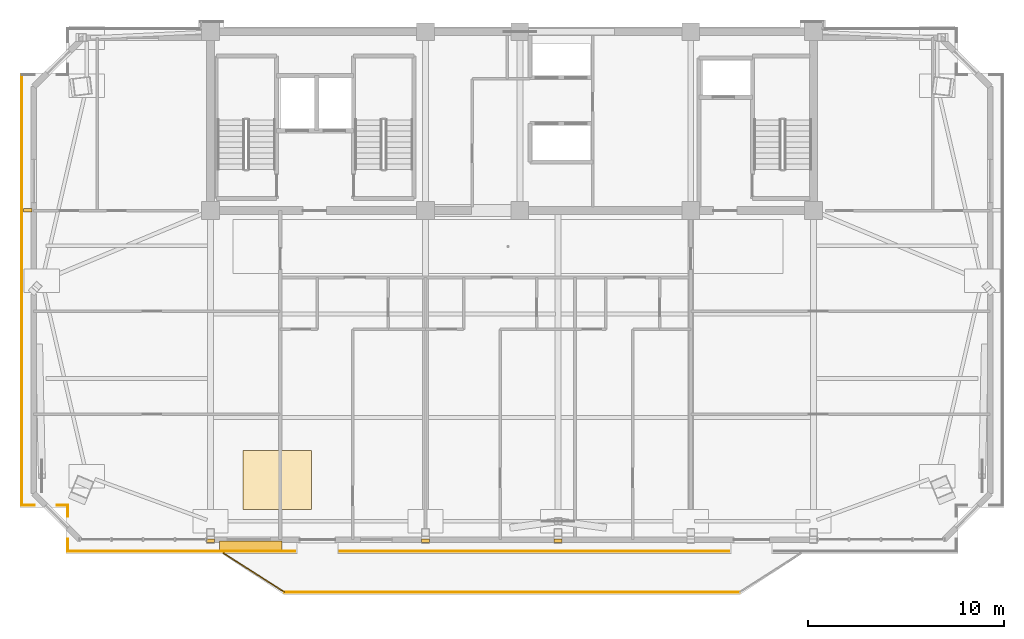
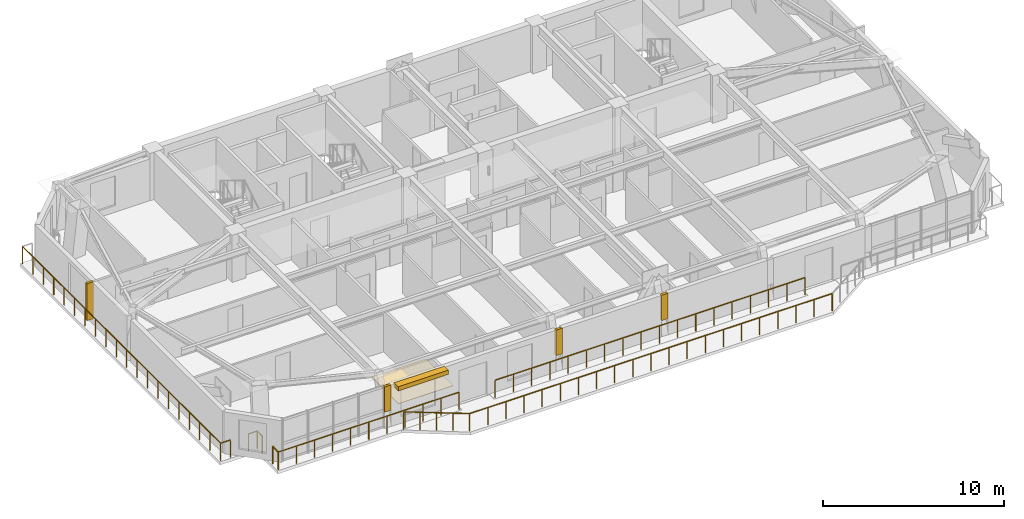
# One storey, part 11 of 14: 9 railings, 4 coverings, 2 shading devices.
"""IFC4 building model written with IfcOpenShell, lengths in metres."""

from ifc_helpers import new_model, si_unit, direction, frame, origin, origin_2d, place, context, subcontext, project, spatial, polyline, rectangle, outline, extrude, source, transform, mapped, material, layer, layer_set, type_object, element, save


model = new_model("IFC4")

# Units and contexts
model_context = context("Model", 3, precision=1e-05, world=origin(), true_north=direction((0.0, 1.0)))
body_context = subcontext(model_context, "Body", "Model", "MODEL_VIEW")
ifc_project = project(units=[si_unit("LENGTHUNIT", "METRE"), si_unit("AREAUNIT", "SQUARE_METRE"), si_unit("VOLUMEUNIT", "CUBIC_METRE"), si_unit("PLANEANGLEUNIT", "RADIAN"), si_unit("MASSUNIT", "GRAM", prefix="KILO")], contexts=[model_context])

# Site, building, storey
site_placement = place(None, origin())
site = spatial("IfcSite", under=ifc_project, at=site_placement, CompositionType="ELEMENT")
building_placement = place(site_placement, origin())
building = spatial("IfcBuilding", under=site, at=building_placement, Name="Giltprow Tower", CompositionType="ELEMENT")
storey_placement = place(building_placement, frame((0.0, 0.0, 321.0)))
storey = spatial("IfcBuildingStorey", under=building, at=storey_placement, Name="L83", CompositionType="ELEMENT", Elevation=321.0)

# Coverings
ifc_material_1 = material(Name="Engineered oak", Category="wood")
ifc_layer_1 = layer(ifc_material_1, 0.02490234375, Name="Engineered oak")
ifc_layer_set_1 = layer_set([ifc_layer_1], Name="Engineered oak")
covering_type_1 = type_object("IfcCoveringType", Name="COV-FLR-TIMBER", PredefinedType="FLOORING", material=ifc_layer_set_1)
covering_1_placement = place(storey_placement, origin())
element("IfcCovering", 1, at=covering_1_placement, inside=storey, type_object=covering_type_1, Name="L83 Residence Oak Parquet Flooring", PredefinedType="FLOORING", context=body_context, shape_type="SweptSolid", body=[
    extrude(outline(polyline([(21.5, 22.236083984375), (25.0, 22.236083984375), (25.0, 25.236083984375), (21.5, 25.236083984375), (21.5, 22.236083984375)])), origin(), (0.0, 0.0, 1.0), 0.02490234375),
])
ifc_material_2 = material(Name="Anodized bronze", Category="metal")
ifc_layer_2 = layer(ifc_material_2, 0.0400390625, Name="Anodized bronze")
ifc_layer_set_2 = layer_set([ifc_layer_2], Name="Anodized bronze")
covering_type_2 = type_object("IfcCoveringType", Name="COV-SOFFIT-BRONZE", PredefinedType="CLADDING", material=ifc_layer_set_2)
covering_2_placement = place(storey_placement, frame((0.0, 0.0, 1.10009765625)))
element("IfcCovering", 2, at=covering_2_placement, inside=storey, type_object=covering_type_2, Name="L83 Setback Pier Closure Cladding S-1", PredefinedType="CLADDING", context=body_context, shape_type="SweptSolid", body=[
    extrude(outline(polyline([(19.64990234375, 20.56396484375), (20.050048828125, 20.56396484375), (20.050048828125, 20.72412109375), (19.64990234375, 20.72412109375), (19.64990234375, 20.56396484375)])), origin(), (0.0, 0.0, 1.0), 1.71484375),
])
covering_3_placement = place(storey_placement, frame((0.0, 0.0, 1.10009765625)))
element("IfcCovering", 3, at=covering_3_placement, inside=storey, type_object=covering_type_2, Name="L83 Setback Pier Closure Cladding S-2", PredefinedType="CLADDING", context=body_context, shape_type="SweptSolid", body=[
    extrude(outline(polyline([(30.60009765625, 20.56396484375), (31.0, 20.56396484375), (31.0, 20.72412109375), (30.60009765625, 20.72412109375), (30.60009765625, 20.56396484375)])), origin(), (0.0, 0.0, 1.0), 1.71484375),
])
covering_4_placement = place(storey_placement, frame((0.0, 0.0, 1.10009765625)))
element("IfcCovering", 4, at=covering_4_placement, inside=storey, type_object=covering_type_2, Name="L83 Setback Pier Closure Cladding S-3", PredefinedType="CLADDING", context=body_context, shape_type="SweptSolid", body=[
    extrude(outline(polyline([(37.35009765625, 20.56396484375), (37.75, 20.56396484375), (37.75, 20.72412109375), (37.35009765625, 20.72412109375), (37.35009765625, 20.56396484375)])), origin(), (0.0, 0.0, 1.0), 1.71484375),
])

# Railings
railing_type = type_object("IfcRailingType", Name="RAIL-BALC-GUARD-1200", PredefinedType="BALUSTRADE", material=ifc_material_2)
railing_1_placement = place(storey_placement, frame((20.52001953125, 20.00390625, 0.0)))
element("IfcRailing", 5, at=railing_1_placement, inside=storey, type_object=railing_type, Name="L83 Waterfront Balcony Balustrade Seg 1", PredefinedType="BALUSTRADE", context=body_context, shape_type="SweptSolid", body=[
    extrude(rectangle(XDim=0.048095703125, YDim=0.048095703125, at=origin_2d()), frame((0.0, 0.0, 1.17578125), z_axis=(0.84277487735, -0.538266203757, 0.0), x_axis=(0.538266203757, 0.84277487735, 0.0)), (0.0, 0.0, 1.0), 3.678466796875),
    extrude(rectangle(XDim=0.0419921875, YDim=0.0419921875, at=origin_2d()), origin(), (0.0, 0.0, 1.0), 1.15185546875),
    extrude(rectangle(XDim=0.0419921875, YDim=0.0419921875, at=origin_2d()), frame((0.77490234375, -0.4951171875, 0.0)), (0.0, 0.0, 1.0), 1.15185546875),
    extrude(rectangle(XDim=0.0419921875, YDim=0.0419921875, at=origin_2d()), frame((1.550048828125, -0.989990234375, 0.0)), (0.0, 0.0, 1.0), 1.15185546875),
    extrude(rectangle(XDim=0.0419921875, YDim=0.0419921875, at=origin_2d()), frame((2.3251953125, -1.48486328125, 0.0)), (0.0, 0.0, 1.0), 1.15185546875),
    extrude(rectangle(XDim=0.0419921875, YDim=0.0419921875, at=origin_2d()), frame((3.10009765625, -1.97998046875, 0.0)), (0.0, 0.0, 1.0), 1.15185546875),
])
railing_2_placement = place(storey_placement, frame((23.6201171875, 18.02392578125, 0.0)))
element("IfcRailing", 6, at=railing_2_placement, inside=storey, type_object=railing_type, Name="L83 Waterfront Balcony Balustrade Seg 2", PredefinedType="BALUSTRADE", context=body_context, shape_type="SweptSolid", body=[
    extrude(rectangle(XDim=0.048095703125, YDim=0.048095703125, at=origin_2d()), frame((0.0, 0.0, 1.17578125), z_axis=(1.0, 0.0, 0.0), x_axis=(0.0, 1.0, 0.0)), (0.0, 0.0, 1.0), 23.159912109375),
    extrude(rectangle(XDim=0.0419921875, YDim=0.0419921875, at=origin_2d()), origin(), (0.0, 0.0, 1.0), 1.15185546875),
    extrude(rectangle(XDim=0.0419921875, YDim=0.0419921875, at=origin_2d()), frame((1.157958984375, 0.0, 0.0)), (0.0, 0.0, 1.0), 1.15185546875),
    extrude(rectangle(XDim=0.0419921875, YDim=0.0419921875, at=origin_2d()), frame((2.31591796875, 0.0, 0.0)), (0.0, 0.0, 1.0), 1.15185546875),
    extrude(rectangle(XDim=0.0419921875, YDim=0.0419921875, at=origin_2d()), frame((3.473876953125, 0.0, 0.0)), (0.0, 0.0, 1.0), 1.15185546875),
    extrude(rectangle(XDim=0.0419921875, YDim=0.0419921875, at=origin_2d()), frame((4.632080078125, 0.0, 0.0)), (0.0, 0.0, 1.0), 1.15185546875),
    extrude(rectangle(XDim=0.0419921875, YDim=0.0419921875, at=origin_2d()), frame((5.7900390625, 0.0, 0.0)), (0.0, 0.0, 1.0), 1.15185546875),
    extrude(rectangle(XDim=0.0419921875, YDim=0.0419921875, at=origin_2d()), frame((6.947998046875, 0.0, 0.0)), (0.0, 0.0, 1.0), 1.15185546875),
    extrude(rectangle(XDim=0.0419921875, YDim=0.0419921875, at=origin_2d()), frame((8.10595703125, 0.0, 0.0)), (0.0, 0.0, 1.0), 1.15185546875),
    extrude(rectangle(XDim=0.0419921875, YDim=0.0419921875, at=origin_2d()), frame((9.263916015625, 0.0, 0.0)), (0.0, 0.0, 1.0), 1.15185546875),
    extrude(rectangle(XDim=0.0419921875, YDim=0.0419921875, at=origin_2d()), frame((10.421875, 0.0, 0.0)), (0.0, 0.0, 1.0), 1.15185546875),
    extrude(rectangle(XDim=0.0419921875, YDim=0.0419921875, at=origin_2d()), frame((11.580078125, 0.0, 0.0)), (0.0, 0.0, 1.0), 1.15185546875),
    extrude(rectangle(XDim=0.0419921875, YDim=0.0419921875, at=origin_2d()), frame((12.738037109375, 0.0, 0.0)), (0.0, 0.0, 1.0), 1.15185546875),
    extrude(rectangle(XDim=0.0419921875, YDim=0.0419921875, at=origin_2d()), frame((13.89599609375, 0.0, 0.0)), (0.0, 0.0, 1.0), 1.15185546875),
    extrude(rectangle(XDim=0.0419921875, YDim=0.0419921875, at=origin_2d()), frame((15.053955078125, 0.0, 0.0)), (0.0, 0.0, 1.0), 1.15185546875),
    extrude(rectangle(XDim=0.0419921875, YDim=0.0419921875, at=origin_2d()), frame((16.2119140625, 0.0, 0.0)), (0.0, 0.0, 1.0), 1.15185546875),
    extrude(rectangle(XDim=0.0419921875, YDim=0.0419921875, at=origin_2d()), frame((17.369873046875, 0.0, 0.0)), (0.0, 0.0, 1.0), 1.15185546875),
    extrude(rectangle(XDim=0.0419921875, YDim=0.0419921875, at=origin_2d()), frame((18.52783203125, 0.0, 0.0)), (0.0, 0.0, 1.0), 1.15185546875),
    extrude(rectangle(XDim=0.0419921875, YDim=0.0419921875, at=origin_2d()), frame((19.68603515625, 0.0, 0.0)), (0.0, 0.0, 1.0), 1.15185546875),
    extrude(rectangle(XDim=0.0419921875, YDim=0.0419921875, at=origin_2d()), frame((20.843994140625, 0.0, 0.0)), (0.0, 0.0, 1.0), 1.15185546875),
    extrude(rectangle(XDim=0.0419921875, YDim=0.0419921875, at=origin_2d()), frame((22.001953125, 0.0, 0.0)), (0.0, 0.0, 1.0), 1.15185546875),
    extrude(rectangle(XDim=0.0419921875, YDim=0.0419921875, at=origin_2d()), frame((23.159912109375, 0.0, 0.0)), (0.0, 0.0, 1.0), 1.15185546875),
])
railing_3_placement = place(storey_placement, frame((46.25, 20.10400390625, 0.0)))
element("IfcRailing", 7, at=railing_3_placement, inside=storey, type_object=railing_type, Name="L83 Corner Apron Edge Balustrade 7", PredefinedType="BALUSTRADE", context=body_context, shape_type="SweptSolid", body=[
    extrude(rectangle(XDim=0.048095703125, YDim=0.048095703125, at=origin_2d()), frame((0.0, 0.0, 1.17578125), z_axis=(-1.0, 0.0, 0.0), x_axis=(0.0, -1.0, 0.0)), (0.0, 0.0, 1.0), 19.800048828125),
    extrude(rectangle(XDim=0.0419921875, YDim=0.0419921875, at=origin_2d()), origin(), (0.0, 0.0, 1.0), 1.15185546875),
    extrude(rectangle(XDim=0.0419921875, YDim=0.0419921875, at=origin_2d()), frame((-1.164794921875, 0.0, 0.0)), (0.0, 0.0, 1.0), 1.15185546875),
    extrude(rectangle(XDim=0.0419921875, YDim=0.0419921875, at=origin_2d()), frame((-2.329345703125, 0.0, 0.0)), (0.0, 0.0, 1.0), 1.15185546875),
    extrude(rectangle(XDim=0.0419921875, YDim=0.0419921875, at=origin_2d()), frame((-3.494140625, 0.0, 0.0)), (0.0, 0.0, 1.0), 1.15185546875),
    extrude(rectangle(XDim=0.0419921875, YDim=0.0419921875, at=origin_2d()), frame((-4.658935546875, 0.0, 0.0)), (0.0, 0.0, 1.0), 1.15185546875),
    extrude(rectangle(XDim=0.0419921875, YDim=0.0419921875, at=origin_2d()), frame((-5.823486328125, 0.0, 0.0)), (0.0, 0.0, 1.0), 1.15185546875),
    extrude(rectangle(XDim=0.0419921875, YDim=0.0419921875, at=origin_2d()), frame((-6.98828125, 0.0, 0.0)), (0.0, 0.0, 1.0), 1.15185546875),
    extrude(rectangle(XDim=0.0419921875, YDim=0.0419921875, at=origin_2d()), frame((-8.153076171875, 0.0, 0.0)), (0.0, 0.0, 1.0), 1.15185546875),
    extrude(rectangle(XDim=0.0419921875, YDim=0.0419921875, at=origin_2d()), frame((-9.317626953125, 0.0, 0.0)), (0.0, 0.0, 1.0), 1.15185546875),
    extrude(rectangle(XDim=0.0419921875, YDim=0.0419921875, at=origin_2d()), frame((-10.482421875, 0.0, 0.0)), (0.0, 0.0, 1.0), 1.15185546875),
    extrude(rectangle(XDim=0.0419921875, YDim=0.0419921875, at=origin_2d()), frame((-11.64697265625, 0.0, 0.0)), (0.0, 0.0, 1.0), 1.15185546875),
    extrude(rectangle(XDim=0.0419921875, YDim=0.0419921875, at=origin_2d()), frame((-12.811767578125, 0.0, 0.0)), (0.0, 0.0, 1.0), 1.15185546875),
    extrude(rectangle(XDim=0.0419921875, YDim=0.0419921875, at=origin_2d()), frame((-13.9765625, 0.0, 0.0)), (0.0, 0.0, 1.0), 1.15185546875),
    extrude(rectangle(XDim=0.0419921875, YDim=0.0419921875, at=origin_2d()), frame((-15.14111328125, 0.0, 0.0)), (0.0, 0.0, 1.0), 1.15185546875),
    extrude(rectangle(XDim=0.0419921875, YDim=0.0419921875, at=origin_2d()), frame((-16.305908203125, 0.0, 0.0)), (0.0, 0.0, 1.0), 1.15185546875),
    extrude(rectangle(XDim=0.0419921875, YDim=0.0419921875, at=origin_2d()), frame((-17.470703125, 0.0, 0.0)), (0.0, 0.0, 1.0), 1.15185546875),
    extrude(rectangle(XDim=0.0419921875, YDim=0.0419921875, at=origin_2d()), frame((-18.63525390625, 0.0, 0.0)), (0.0, 0.0, 1.0), 1.15185546875),
    extrude(rectangle(XDim=0.0419921875, YDim=0.0419921875, at=origin_2d()), frame((-19.800048828125, 0.0, 0.0)), (0.0, 0.0, 1.0), 1.15185546875),
])
railing_4_placement = place(storey_placement, frame((24.14990234375, 20.10400390625, 0.0)))
element("IfcRailing", 8, at=railing_4_placement, inside=storey, type_object=railing_type, Name="L83 Corner Apron Edge Balustrade 8", PredefinedType="BALUSTRADE", context=body_context, shape_type="SweptSolid", body=[
    extrude(rectangle(XDim=0.048095703125, YDim=0.048095703125, at=origin_2d()), frame((0.0, 0.0, 1.17578125), z_axis=(-1.0, 0.0, 0.0), x_axis=(0.0, -1.0, 0.0)), (0.0, 0.0, 1.0), 11.556884765625),
    extrude(rectangle(XDim=0.0419921875, YDim=0.0419921875, at=origin_2d()), origin(), (0.0, 0.0, 1.0), 1.15185546875),
    extrude(rectangle(XDim=0.0419921875, YDim=0.0419921875, at=origin_2d()), frame((-1.15576171875, 0.0, 0.0)), (0.0, 0.0, 1.0), 1.15185546875),
    extrude(rectangle(XDim=0.0419921875, YDim=0.0419921875, at=origin_2d()), frame((-2.311279296875, 0.0, 0.0)), (0.0, 0.0, 1.0), 1.15185546875),
    extrude(rectangle(XDim=0.0419921875, YDim=0.0419921875, at=origin_2d()), frame((-3.467041015625, 0.0, 0.0)), (0.0, 0.0, 1.0), 1.15185546875),
    extrude(rectangle(XDim=0.0419921875, YDim=0.0419921875, at=origin_2d()), frame((-4.622802734375, 0.0, 0.0)), (0.0, 0.0, 1.0), 1.15185546875),
    extrude(rectangle(XDim=0.0419921875, YDim=0.0419921875, at=origin_2d()), frame((-5.7783203125, 0.0, 0.0)), (0.0, 0.0, 1.0), 1.15185546875),
    extrude(rectangle(XDim=0.0419921875, YDim=0.0419921875, at=origin_2d()), frame((-6.93408203125, 0.0, 0.0)), (0.0, 0.0, 1.0), 1.15185546875),
    extrude(rectangle(XDim=0.0419921875, YDim=0.0419921875, at=origin_2d()), frame((-8.08984375, 0.0, 0.0)), (0.0, 0.0, 1.0), 1.15185546875),
    extrude(rectangle(XDim=0.0419921875, YDim=0.0419921875, at=origin_2d()), frame((-9.24560546875, 0.0, 0.0)), (0.0, 0.0, 1.0), 1.15185546875),
    extrude(rectangle(XDim=0.0419921875, YDim=0.0419921875, at=origin_2d()), frame((-10.401123046875, 0.0, 0.0)), (0.0, 0.0, 1.0), 1.15185546875),
    extrude(rectangle(XDim=0.0419921875, YDim=0.0419921875, at=origin_2d()), frame((-11.556884765625, 0.0, 0.0)), (0.0, 0.0, 1.0), 1.15185546875),
])
railing_5_placement = place(storey_placement, frame((12.593017578125, 20.10400390625, 0.0)))
element("IfcRailing", 9, at=railing_5_placement, inside=storey, type_object=railing_type, Name="L83 Corner Apron Edge Balustrade 9", PredefinedType="BALUSTRADE", context=body_context, shape_type="SweptSolid", body=[
    extrude(rectangle(XDim=0.048095703125, YDim=0.048095703125, at=origin_2d()), frame((0.0, 0.0, 1.17578125), z_axis=(0.0, 1.0, 0.0), x_axis=(-1.0, 0.0, 0.0)), (0.0, 0.0, 1.0), 0.6201171875),
    extrude(rectangle(XDim=0.0419921875, YDim=0.0419921875, at=origin_2d()), origin(), (0.0, 0.0, 1.0), 1.15185546875),
    extrude(rectangle(XDim=0.0419921875, YDim=0.0419921875, at=origin_2d()), frame((0.0, 0.6201171875, 0.0)), (0.0, 0.0, 1.0), 1.15185546875),
])
railing_6_placement = place(storey_placement, frame((12.593017578125, 21.884033203125, 0.0)))
element("IfcRailing", 10, at=railing_6_placement, inside=storey, type_object=railing_type, Name="L83 Corner Apron Edge Balustrade 10", PredefinedType="BALUSTRADE", context=body_context, shape_type="SweptSolid", body=[
    extrude(rectangle(XDim=0.048095703125, YDim=0.048095703125, at=origin_2d()), frame((0.0, 0.0, 1.17578125), z_axis=(0.0, 1.0, 0.0), x_axis=(-1.0, 0.0, 0.0)), (0.0, 0.0, 1.0), 0.557861328125),
    extrude(rectangle(XDim=0.0419921875, YDim=0.0419921875, at=origin_2d()), origin(), (0.0, 0.0, 1.0), 1.15185546875),
    extrude(rectangle(XDim=0.0419921875, YDim=0.0419921875, at=origin_2d()), frame((0.0, 0.557861328125, 0.0)), (0.0, 0.0, 1.0), 1.15185546875),
])
railing_7_placement = place(storey_placement, frame((12.593017578125, 22.44189453125, 0.0)))
element("IfcRailing", 11, at=railing_7_placement, inside=storey, type_object=railing_type, Name="L83 Corner Apron Edge Balustrade 11", PredefinedType="BALUSTRADE", context=body_context, shape_type="SweptSolid", body=[
    extrude(rectangle(XDim=0.048095703125, YDim=0.048095703125, at=origin_2d()), frame((0.0, 0.0, 1.17578125), z_axis=(-1.0, 0.0, 0.0), x_axis=(0.0, -1.0, 0.0)), (0.0, 0.0, 1.0), 0.55810546875),
    extrude(rectangle(XDim=0.0419921875, YDim=0.0419921875, at=origin_2d()), origin(), (0.0, 0.0, 1.0), 1.15185546875),
    extrude(rectangle(XDim=0.0419921875, YDim=0.0419921875, at=origin_2d()), frame((-0.55810546875, 0.0, 0.0)), (0.0, 0.0, 1.0), 1.15185546875),
])
railing_8_placement = place(storey_placement, frame((10.875, 22.44189453125, 0.0)))
element("IfcRailing", 12, at=railing_8_placement, inside=storey, type_object=railing_type, Name="L83 Corner Apron Edge Balustrade 12", PredefinedType="BALUSTRADE", context=body_context, shape_type="SweptSolid", body=[
    extrude(rectangle(XDim=0.048095703125, YDim=0.048095703125, at=origin_2d()), frame((0.0, 0.0, 1.17578125), z_axis=(-1.0, 0.0, 0.0), x_axis=(0.0, -1.0, 0.0)), (0.0, 0.0, 1.0), 0.6201171875),
    extrude(rectangle(XDim=0.0419921875, YDim=0.0419921875, at=origin_2d()), origin(), (0.0, 0.0, 1.0), 1.15185546875),
    extrude(rectangle(XDim=0.0419921875, YDim=0.0419921875, at=origin_2d()), frame((-0.6201171875, 0.0, 0.0)), (0.0, 0.0, 1.0), 1.15185546875),
])
railing_9_placement = place(storey_placement, frame((10.2548828125, 22.44189453125, 0.0)))
element("IfcRailing", 13, at=railing_9_placement, inside=storey, type_object=railing_type, Name="L83 Corner Apron Edge Balustrade 13", PredefinedType="BALUSTRADE", context=body_context, shape_type="SweptSolid", body=[
    extrude(rectangle(XDim=0.048095703125, YDim=0.048095703125, at=origin_2d()), frame((0.0, 0.0, 1.17578125), z_axis=(0.0, 1.0, 0.0), x_axis=(-1.0, 0.0, 0.0)), (0.0, 0.0, 1.0), 21.920166015625),
    extrude(rectangle(XDim=0.0419921875, YDim=0.0419921875, at=origin_2d()), origin(), (0.0, 0.0, 1.0), 1.15185546875),
    extrude(rectangle(XDim=0.0419921875, YDim=0.0419921875, at=origin_2d()), frame((0.0, 1.15380859375, 0.0)), (0.0, 0.0, 1.0), 1.15185546875),
    extrude(rectangle(XDim=0.0419921875, YDim=0.0419921875, at=origin_2d()), frame((0.0, 2.307373046875, 0.0)), (0.0, 0.0, 1.0), 1.15185546875),
    extrude(rectangle(XDim=0.0419921875, YDim=0.0419921875, at=origin_2d()), frame((0.0, 3.461181640625, 0.0)), (0.0, 0.0, 1.0), 1.15185546875),
    extrude(rectangle(XDim=0.0419921875, YDim=0.0419921875, at=origin_2d()), frame((0.0, 4.61474609375, 0.0)), (0.0, 0.0, 1.0), 1.15185546875),
    extrude(rectangle(XDim=0.0419921875, YDim=0.0419921875, at=origin_2d()), frame((0.0, 5.7685546875, 0.0)), (0.0, 0.0, 1.0), 1.15185546875),
    extrude(rectangle(XDim=0.0419921875, YDim=0.0419921875, at=origin_2d()), frame((0.0, 6.922119140625, 0.0)), (0.0, 0.0, 1.0), 1.15185546875),
    extrude(rectangle(XDim=0.0419921875, YDim=0.0419921875, at=origin_2d()), frame((0.0, 8.075927734375, 0.0)), (0.0, 0.0, 1.0), 1.15185546875),
    extrude(rectangle(XDim=0.0419921875, YDim=0.0419921875, at=origin_2d()), frame((0.0, 9.2294921875, 0.0)), (0.0, 0.0, 1.0), 1.15185546875),
    extrude(rectangle(XDim=0.0419921875, YDim=0.0419921875, at=origin_2d()), frame((0.0, 10.38330078125, 0.0)), (0.0, 0.0, 1.0), 1.15185546875),
    extrude(rectangle(XDim=0.0419921875, YDim=0.0419921875, at=origin_2d()), frame((0.0, 11.536865234375, 0.0)), (0.0, 0.0, 1.0), 1.15185546875),
    extrude(rectangle(XDim=0.0419921875, YDim=0.0419921875, at=origin_2d()), frame((0.0, 12.690673828125, 0.0)), (0.0, 0.0, 1.0), 1.15185546875),
    extrude(rectangle(XDim=0.0419921875, YDim=0.0419921875, at=origin_2d()), frame((0.0, 13.84423828125, 0.0)), (0.0, 0.0, 1.0), 1.15185546875),
    extrude(rectangle(XDim=0.0419921875, YDim=0.0419921875, at=origin_2d()), frame((0.0, 14.998046875, 0.0)), (0.0, 0.0, 1.0), 1.15185546875),
    extrude(rectangle(XDim=0.0419921875, YDim=0.0419921875, at=origin_2d()), frame((0.0, 16.151611328125, 0.0)), (0.0, 0.0, 1.0), 1.15185546875),
    extrude(rectangle(XDim=0.0419921875, YDim=0.0419921875, at=origin_2d()), frame((0.0, 17.305419921875, 0.0)), (0.0, 0.0, 1.0), 1.15185546875),
    extrude(rectangle(XDim=0.0419921875, YDim=0.0419921875, at=origin_2d()), frame((0.0, 18.458984375, 0.0)), (0.0, 0.0, 1.0), 1.15185546875),
    extrude(rectangle(XDim=0.0419921875, YDim=0.0419921875, at=origin_2d()), frame((0.0, 19.61279296875, 0.0)), (0.0, 0.0, 1.0), 1.15185546875),
    extrude(rectangle(XDim=0.0419921875, YDim=0.0419921875, at=origin_2d()), frame((0.0, 20.766357421875, 0.0)), (0.0, 0.0, 1.0), 1.15185546875),
    extrude(rectangle(XDim=0.0419921875, YDim=0.0419921875, at=origin_2d()), frame((0.0, 21.920166015625, 0.0)), (0.0, 0.0, 1.0), 1.15185546875),
])

# Shading devices
shading_device_type_1 = type_object("IfcShadingDeviceType", Name="SHD-FIN-420", PredefinedType="USERDEFINED", material=ifc_material_2)
shared_shape_1 = source(origin(), body_context, "Body", "SweptSolid", [
    extrude(rectangle(XDim=0.419921875, YDim=0.159912109375, at=origin_2d()), origin(), (0.0, 0.0, 1.0), 2.5),
])
shading_device_1_placement = place(storey_placement, frame((10.554931640625, 37.4619140625, 0.35009765625), z_axis=(0.0, 0.0, 1.0), x_axis=(1.0, 0.0, 0.0)))
element("IfcShadingDevice", 14, at=shading_device_1_placement, inside=storey, type_object=shading_device_type_1, Name="L83 W Bronze Vertical Fin 2-1", ObjectType="FIN", PredefinedType="USERDEFINED", context=body_context, shape_type="MappedRepresentation", body=[
    mapped(shared_shape_1, transform((0.0, 0.0, 0.0), x_axis=(1.0, 0.0, 0.0), y_axis=(0.0, 1.0, 0.0), z_axis=(0.0, 0.0, 1.0), scale=1.0)),
])
shading_device_type_2 = type_object("IfcShadingDeviceType", Name="SHD-LOUVRE-320", PredefinedType="JALOUSIE", material=ifc_material_2)
shared_shape_2 = source(origin(), body_context, "Body", "SweptSolid", [
    extrude(rectangle(XDim=3.199951171875, YDim=0.449951171875, at=origin_2d()), origin(), (0.0, 0.0, 1.0), 0.280029296875),
])
shading_device_2_placement = place(storey_placement, frame((21.89990234375, 20.404052734375, 2.56005859375), z_axis=(0.0, 0.0, 1.0), x_axis=(1.0, 0.0, 0.0)))
element("IfcShadingDevice", 15, at=shading_device_2_placement, inside=storey, type_object=shading_device_type_2, Name="L83 Bronze Sunshade Louvre S-2", PredefinedType="JALOUSIE", context=body_context, shape_type="MappedRepresentation", body=[
    mapped(shared_shape_2, transform((0.0, 0.0, 0.0), x_axis=(1.0, 0.0, 0.0), y_axis=(0.0, 1.0, 0.0), z_axis=(0.0, 0.0, 1.0), scale=1.0)),
])

save(model, "model.ifc")
